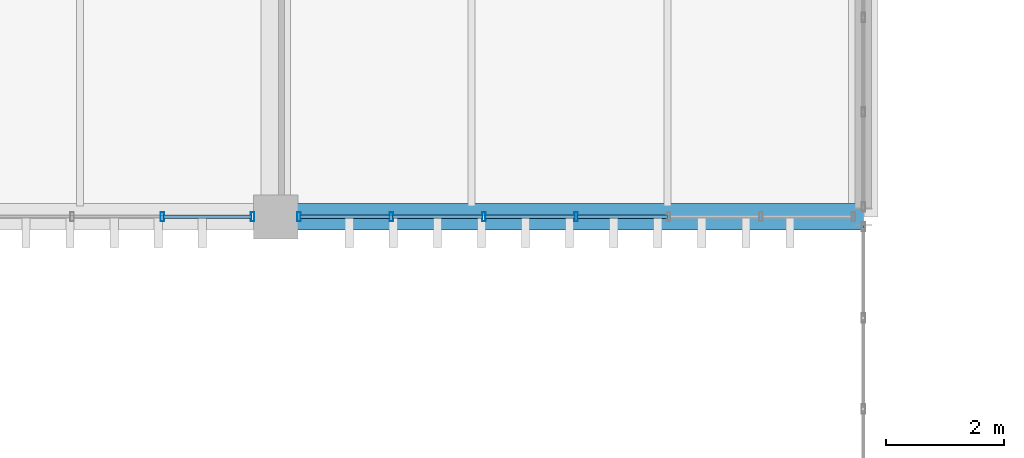
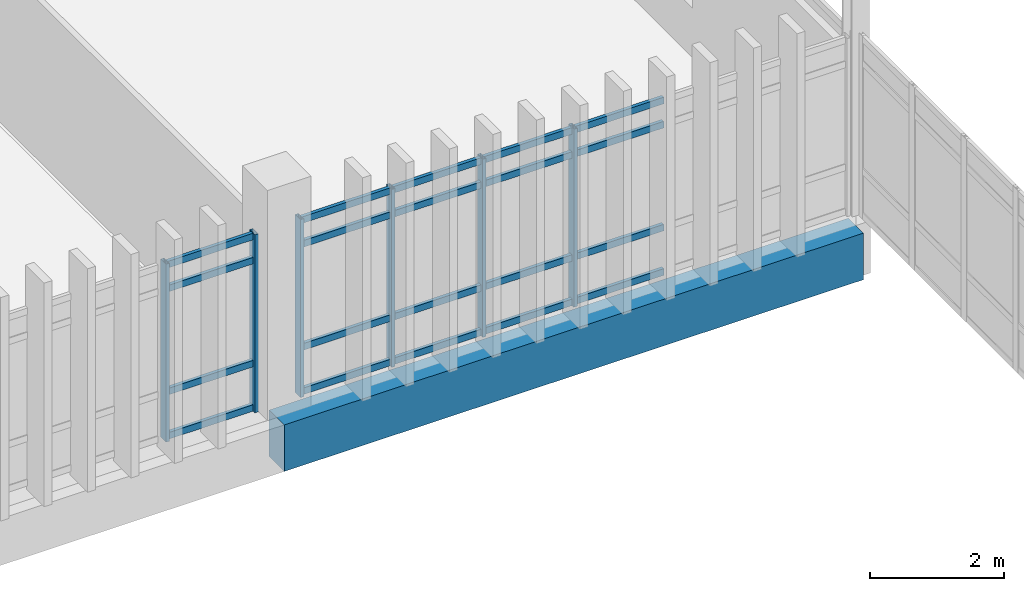
# One storey, part 46 of 111: 26 members, 1 beam, 2 elements without a shape of their own.
"""IFC4 building model written with IfcOpenShell, lengths in metres."""

from ifc_helpers import new_model, si_unit, direction, frame, origin, origin_2d, place, context, subcontext, project, spatial, rectangle, hollow_rectangle, extrude, material, layer, layer_set, material_profile, profile_set, type_object, element, aggregate, save


model = new_model("IFC4")

# Units and contexts
model_context = context("Model", 3, precision=1e-05, world=origin(), true_north=direction((0.0, 1.0)))
body_context = subcontext(model_context, "Body", "Model", "MODEL_VIEW")
ifc_project = project(units=[si_unit("LENGTHUNIT", "METRE"), si_unit("AREAUNIT", "SQUARE_METRE"), si_unit("VOLUMEUNIT", "CUBIC_METRE"), si_unit("PLANEANGLEUNIT", "RADIAN"), si_unit("MASSUNIT", "GRAM", prefix="KILO")], contexts=[model_context])

# Site, building, storey
site_placement = place(None, origin())
site = spatial("IfcSite", under=ifc_project, at=site_placement, CompositionType="ELEMENT")
building_placement = place(site_placement, origin())
building = spatial("IfcBuilding", under=site, at=building_placement, Name="Mersad Railyard Sports Hall", CompositionType="ELEMENT")
storey_placement = place(building_placement, frame((0.0, 0.0, 9.0)))
storey = spatial("IfcBuildingStorey", under=building, at=storey_placement, Name="L02", CompositionType="ELEMENT", Elevation=9.0)

# Curtain wall, members
ifc_material_1 = material(Name="Aluminium 6063-T6", Category="aluminium")
ifc_layer_1 = layer(ifc_material_1, 0.159912109375)
ifc_layer_set_1 = layer_set([ifc_layer_1], Name="Aluminium 6063-T6")
curtain_wall_type_1 = type_object("IfcCurtainWallType", Name="ARC-CW-CW55", PredefinedType="USERDEFINED", material=ifc_layer_set_1)
curtain_wall_1_placement = place(storey_placement, origin())
curtain_wall_1 = element("IfcCurtainWall", 1, at=curtain_wall_1_placement, inside=storey, type_object=curtain_wall_type_1, Name="Curtain wall CW55-0149", ObjectType="CURTAIN WALL", PredefinedType="USERDEFINED")
ifc_material_profile_1 = material_profile(ifc_material_1, hollow_rectangle(XDim=0.06005859375, YDim=0.159912109375, WallThickness=0.00390625, at=origin_2d()), Name="AL MULLION 60x160x4")
ifc_profile_set_1 = profile_set([ifc_material_profile_1], Name="Aluminium 6063-T6")
member_type_1 = type_object("IfcMemberType", Name="ARC-CW-MUL01", PredefinedType="MULLION", material=ifc_profile_set_1)
member_1_placement = place(storey_placement, frame((120.60498046875, 85.0, -0.02001953125), z_axis=(0.0, 0.0, 1.0), x_axis=(1.0, 0.0, 0.0)))
member_1 = element("IfcMember", 2, at=member_1_placement, type_object=member_type_1, Name="CW55 Mullion 1", PredefinedType="MULLION", context=body_context, shape_type="SweptSolid", body=[
    extrude(hollow_rectangle(XDim=0.06005859375, YDim=0.159912109375, WallThickness=0.00390625, at=origin_2d()), origin(), (0.0, 0.0, 1.0), 3.25),
])
member_2_placement = place(storey_placement, frame((119.070068359375, 85.0, -0.02001953125), z_axis=(0.0, 0.0, 1.0), x_axis=(1.0, 0.0, 0.0)))
member_2 = element("IfcMember", 3, at=member_2_placement, type_object=member_type_1, Name="CW55 Mullion 2", PredefinedType="MULLION", context=body_context, shape_type="SweptSolid", body=[
    extrude(hollow_rectangle(XDim=0.06005859375, YDim=0.159912109375, WallThickness=0.00390625, at=origin_2d()), origin(), (0.0, 0.0, 1.0), 3.25),
])

ifc_layer_2 = layer(ifc_material_1, 0.159912109375)
ifc_layer_set_2 = layer_set([ifc_layer_2], Name="Aluminium 6063-T6")
curtain_wall_type_2 = type_object("IfcCurtainWallType", Name="ARC-CW-CW56", PredefinedType="USERDEFINED", material=ifc_layer_set_2)
curtain_wall_2_placement = place(storey_placement, origin())
curtain_wall_2 = element("IfcCurtainWall", 4, at=curtain_wall_2_placement, inside=storey, type_object=curtain_wall_type_2, Name="Curtain wall CW56-0150", ObjectType="CURTAIN WALL", PredefinedType="USERDEFINED")
member_3_placement = place(storey_placement, frame((126.112548828125, 85.0, -0.02001953125), z_axis=(0.0, 0.0, 1.0), x_axis=(1.0, 0.0, 0.0)))
member_3 = element("IfcMember", 5, at=member_3_placement, type_object=member_type_1, Name="CW56 Mullion 4", PredefinedType="MULLION", context=body_context, shape_type="SweptSolid", body=[
    extrude(hollow_rectangle(XDim=0.06005859375, YDim=0.159912109375, WallThickness=0.00390625, at=origin_2d()), origin(), (0.0, 0.0, 1.0), 3.25),
])
member_4_placement = place(storey_placement, frame((124.5400390625, 85.0, -0.02001953125), z_axis=(0.0, 0.0, 1.0), x_axis=(1.0, 0.0, 0.0)))
member_4 = element("IfcMember", 6, at=member_4_placement, type_object=member_type_1, Name="CW56 Mullion 5", PredefinedType="MULLION", context=body_context, shape_type="SweptSolid", body=[
    extrude(hollow_rectangle(XDim=0.06005859375, YDim=0.159912109375, WallThickness=0.00390625, at=origin_2d()), origin(), (0.0, 0.0, 1.0), 3.25),
])
member_5_placement = place(storey_placement, frame((122.967529296875, 85.0, -0.02001953125), z_axis=(0.0, 0.0, 1.0), x_axis=(1.0, 0.0, 0.0)))
member_5 = element("IfcMember", 7, at=member_5_placement, type_object=member_type_1, Name="CW56 Mullion 6", PredefinedType="MULLION", context=body_context, shape_type="SweptSolid", body=[
    extrude(hollow_rectangle(XDim=0.06005859375, YDim=0.159912109375, WallThickness=0.00390625, at=origin_2d()), origin(), (0.0, 0.0, 1.0), 3.25),
])
member_6_placement = place(storey_placement, frame((121.39501953125, 85.0, -0.02001953125), z_axis=(0.0, 0.0, 1.0), x_axis=(1.0, 0.0, 0.0)))
member_6 = element("IfcMember", 8, at=member_6_placement, type_object=member_type_1, Name="CW56 Mullion 7", PredefinedType="MULLION", context=body_context, shape_type="SweptSolid", body=[
    extrude(hollow_rectangle(XDim=0.06005859375, YDim=0.159912109375, WallThickness=0.00390625, at=origin_2d()), origin(), (0.0, 0.0, 1.0), 3.25),
])

# Member
ifc_material_profile_2 = material_profile(ifc_material_1, hollow_rectangle(XDim=0.06005859375, YDim=0.1201171875, WallThickness=0.00390625, at=origin_2d()), Name="AL TRANSOM 60x120x4")
ifc_profile_set_2 = profile_set([ifc_material_profile_2], Name="Aluminium 6063-T6")
member_type_2 = type_object("IfcMemberType", Name="ARC-CW-TRN01", PredefinedType="USERDEFINED", material=ifc_profile_set_2)
member_7_placement = place(storey_placement, frame((120.5849609375, 85.0, 0.0400390625), z_axis=(-1.0, 0.0, 0.0), x_axis=(0.0, -1.0, 0.0)))
member_7 = element("IfcMember", 9, at=member_7_placement, type_object=member_type_2, Name="CW55 Transom 1-1", ObjectType="TRANSOM", PredefinedType="USERDEFINED", context=body_context, shape_type="SweptSolid", body=[
    extrude(hollow_rectangle(XDim=0.06005859375, YDim=0.1201171875, WallThickness=0.00390625, at=origin_2d()), origin(), (0.0, 0.0, 1.0), 1.494873046875),
])

member_8_placement = place(storey_placement, frame((120.5849609375, 85.0, 0.85009765625), z_axis=(-1.0, 0.0, 0.0), x_axis=(0.0, -1.0, 0.0)))
member_8 = element("IfcMember", 10, at=member_8_placement, type_object=member_type_2, Name="CW55 Transom 2-1", ObjectType="TRANSOM", PredefinedType="USERDEFINED", context=body_context, shape_type="SweptSolid", body=[
    extrude(hollow_rectangle(XDim=0.06005859375, YDim=0.1201171875, WallThickness=0.00390625, at=origin_2d()), origin(), (0.0, 0.0, 1.0), 1.494873046875),
])

member_9_placement = place(storey_placement, frame((120.5849609375, 85.0, 2.72998046875), z_axis=(-1.0, 0.0, 0.0), x_axis=(0.0, -1.0, 0.0)))
member_9 = element("IfcMember", 11, at=member_9_placement, type_object=member_type_2, Name="CW55 Transom 3-1", ObjectType="TRANSOM", PredefinedType="USERDEFINED", context=body_context, shape_type="SweptSolid", body=[
    extrude(hollow_rectangle(XDim=0.06005859375, YDim=0.1201171875, WallThickness=0.00390625, at=origin_2d()), origin(), (0.0, 0.0, 1.0), 1.494873046875),
])

member_10_placement = place(storey_placement, frame((120.5849609375, 85.0, 3.169921875), z_axis=(-1.0, 0.0, 0.0), x_axis=(0.0, -1.0, 0.0)))
member_10 = element("IfcMember", 12, at=member_10_placement, type_object=member_type_2, Name="CW55 Transom 4-1", ObjectType="TRANSOM", PredefinedType="USERDEFINED", context=body_context, shape_type="SweptSolid", body=[
    extrude(hollow_rectangle(XDim=0.06005859375, YDim=0.1201171875, WallThickness=0.00390625, at=origin_2d()), origin(), (0.0, 0.0, 1.0), 1.494873046875),
])

aggregate(curtain_wall_1, [member_1, member_2, member_7, member_8, member_9, member_10])

member_11_placement = place(storey_placement, frame((127.6650390625, 85.0, 0.0400390625), z_axis=(-1.0, 0.0, 0.0), x_axis=(0.0, -1.0, 0.0)))
member_11 = element("IfcMember", 13, at=member_11_placement, type_object=member_type_2, Name="CW56 Transom 1-3", ObjectType="TRANSOM", PredefinedType="USERDEFINED", context=body_context, shape_type="SweptSolid", body=[
    extrude(hollow_rectangle(XDim=0.06005859375, YDim=0.1201171875, WallThickness=0.00390625, at=origin_2d()), origin(), (0.0, 0.0, 1.0), 1.532470703125),
])

member_12_placement = place(storey_placement, frame((126.092529296875, 85.0, 0.0400390625), z_axis=(-1.0, 0.0, 0.0), x_axis=(0.0, -1.0, 0.0)))
member_12 = element("IfcMember", 14, at=member_12_placement, type_object=member_type_2, Name="CW56 Transom 1-4", ObjectType="TRANSOM", PredefinedType="USERDEFINED", context=body_context, shape_type="SweptSolid", body=[
    extrude(hollow_rectangle(XDim=0.06005859375, YDim=0.1201171875, WallThickness=0.00390625, at=origin_2d()), origin(), (0.0, 0.0, 1.0), 1.532470703125),
])

member_13_placement = place(storey_placement, frame((124.52001953125, 85.0, 0.0400390625), z_axis=(-1.0, 0.0, 0.0), x_axis=(0.0, -1.0, 0.0)))
member_13 = element("IfcMember", 15, at=member_13_placement, type_object=member_type_2, Name="CW56 Transom 1-5", ObjectType="TRANSOM", PredefinedType="USERDEFINED", context=body_context, shape_type="SweptSolid", body=[
    extrude(hollow_rectangle(XDim=0.06005859375, YDim=0.1201171875, WallThickness=0.00390625, at=origin_2d()), origin(), (0.0, 0.0, 1.0), 1.532470703125),
])

member_14_placement = place(storey_placement, frame((122.947509765625, 85.0, 0.0400390625), z_axis=(-1.0, 0.0, 0.0), x_axis=(0.0, -1.0, 0.0)))
member_14 = element("IfcMember", 16, at=member_14_placement, type_object=member_type_2, Name="CW56 Transom 1-6", ObjectType="TRANSOM", PredefinedType="USERDEFINED", context=body_context, shape_type="SweptSolid", body=[
    extrude(hollow_rectangle(XDim=0.06005859375, YDim=0.1201171875, WallThickness=0.00390625, at=origin_2d()), origin(), (0.0, 0.0, 1.0), 1.532470703125),
])

member_15_placement = place(storey_placement, frame((127.6650390625, 85.0, 0.85009765625), z_axis=(-1.0, 0.0, 0.0), x_axis=(0.0, -1.0, 0.0)))
member_15 = element("IfcMember", 17, at=member_15_placement, type_object=member_type_2, Name="CW56 Transom 2-3", ObjectType="TRANSOM", PredefinedType="USERDEFINED", context=body_context, shape_type="SweptSolid", body=[
    extrude(hollow_rectangle(XDim=0.06005859375, YDim=0.1201171875, WallThickness=0.00390625, at=origin_2d()), origin(), (0.0, 0.0, 1.0), 1.532470703125),
])

member_16_placement = place(storey_placement, frame((126.092529296875, 85.0, 0.85009765625), z_axis=(-1.0, 0.0, 0.0), x_axis=(0.0, -1.0, 0.0)))
member_16 = element("IfcMember", 18, at=member_16_placement, type_object=member_type_2, Name="CW56 Transom 2-4", ObjectType="TRANSOM", PredefinedType="USERDEFINED", context=body_context, shape_type="SweptSolid", body=[
    extrude(hollow_rectangle(XDim=0.06005859375, YDim=0.1201171875, WallThickness=0.00390625, at=origin_2d()), origin(), (0.0, 0.0, 1.0), 1.532470703125),
])

member_17_placement = place(storey_placement, frame((124.52001953125, 85.0, 0.85009765625), z_axis=(-1.0, 0.0, 0.0), x_axis=(0.0, -1.0, 0.0)))
member_17 = element("IfcMember", 19, at=member_17_placement, type_object=member_type_2, Name="CW56 Transom 2-5", ObjectType="TRANSOM", PredefinedType="USERDEFINED", context=body_context, shape_type="SweptSolid", body=[
    extrude(hollow_rectangle(XDim=0.06005859375, YDim=0.1201171875, WallThickness=0.00390625, at=origin_2d()), origin(), (0.0, 0.0, 1.0), 1.532470703125),
])

member_18_placement = place(storey_placement, frame((122.947509765625, 85.0, 0.85009765625), z_axis=(-1.0, 0.0, 0.0), x_axis=(0.0, -1.0, 0.0)))
member_18 = element("IfcMember", 20, at=member_18_placement, type_object=member_type_2, Name="CW56 Transom 2-6", ObjectType="TRANSOM", PredefinedType="USERDEFINED", context=body_context, shape_type="SweptSolid", body=[
    extrude(hollow_rectangle(XDim=0.06005859375, YDim=0.1201171875, WallThickness=0.00390625, at=origin_2d()), origin(), (0.0, 0.0, 1.0), 1.532470703125),
])

member_19_placement = place(storey_placement, frame((127.6650390625, 85.0, 2.72998046875), z_axis=(-1.0, 0.0, 0.0), x_axis=(0.0, -1.0, 0.0)))
member_19 = element("IfcMember", 21, at=member_19_placement, type_object=member_type_2, Name="CW56 Transom 3-3", ObjectType="TRANSOM", PredefinedType="USERDEFINED", context=body_context, shape_type="SweptSolid", body=[
    extrude(hollow_rectangle(XDim=0.06005859375, YDim=0.1201171875, WallThickness=0.00390625, at=origin_2d()), origin(), (0.0, 0.0, 1.0), 1.532470703125),
])

member_20_placement = place(storey_placement, frame((126.092529296875, 85.0, 2.72998046875), z_axis=(-1.0, 0.0, 0.0), x_axis=(0.0, -1.0, 0.0)))
member_20 = element("IfcMember", 22, at=member_20_placement, type_object=member_type_2, Name="CW56 Transom 3-4", ObjectType="TRANSOM", PredefinedType="USERDEFINED", context=body_context, shape_type="SweptSolid", body=[
    extrude(hollow_rectangle(XDim=0.06005859375, YDim=0.1201171875, WallThickness=0.00390625, at=origin_2d()), origin(), (0.0, 0.0, 1.0), 1.532470703125),
])

member_21_placement = place(storey_placement, frame((124.52001953125, 85.0, 2.72998046875), z_axis=(-1.0, 0.0, 0.0), x_axis=(0.0, -1.0, 0.0)))
member_21 = element("IfcMember", 23, at=member_21_placement, type_object=member_type_2, Name="CW56 Transom 3-5", ObjectType="TRANSOM", PredefinedType="USERDEFINED", context=body_context, shape_type="SweptSolid", body=[
    extrude(hollow_rectangle(XDim=0.06005859375, YDim=0.1201171875, WallThickness=0.00390625, at=origin_2d()), origin(), (0.0, 0.0, 1.0), 1.532470703125),
])

member_22_placement = place(storey_placement, frame((122.947509765625, 85.0, 2.72998046875), z_axis=(-1.0, 0.0, 0.0), x_axis=(0.0, -1.0, 0.0)))
member_22 = element("IfcMember", 24, at=member_22_placement, type_object=member_type_2, Name="CW56 Transom 3-6", ObjectType="TRANSOM", PredefinedType="USERDEFINED", context=body_context, shape_type="SweptSolid", body=[
    extrude(hollow_rectangle(XDim=0.06005859375, YDim=0.1201171875, WallThickness=0.00390625, at=origin_2d()), origin(), (0.0, 0.0, 1.0), 1.532470703125),
])

member_23_placement = place(storey_placement, frame((127.6650390625, 85.0, 3.169921875), z_axis=(-1.0, 0.0, 0.0), x_axis=(0.0, -1.0, 0.0)))
member_23 = element("IfcMember", 25, at=member_23_placement, type_object=member_type_2, Name="CW56 Transom 4-3", ObjectType="TRANSOM", PredefinedType="USERDEFINED", context=body_context, shape_type="SweptSolid", body=[
    extrude(hollow_rectangle(XDim=0.06005859375, YDim=0.1201171875, WallThickness=0.00390625, at=origin_2d()), origin(), (0.0, 0.0, 1.0), 1.532470703125),
])

member_24_placement = place(storey_placement, frame((126.092529296875, 85.0, 3.169921875), z_axis=(-1.0, 0.0, 0.0), x_axis=(0.0, -1.0, 0.0)))
member_24 = element("IfcMember", 26, at=member_24_placement, type_object=member_type_2, Name="CW56 Transom 4-4", ObjectType="TRANSOM", PredefinedType="USERDEFINED", context=body_context, shape_type="SweptSolid", body=[
    extrude(hollow_rectangle(XDim=0.06005859375, YDim=0.1201171875, WallThickness=0.00390625, at=origin_2d()), origin(), (0.0, 0.0, 1.0), 1.532470703125),
])

member_25_placement = place(storey_placement, frame((124.52001953125, 85.0, 3.169921875), z_axis=(-1.0, 0.0, 0.0), x_axis=(0.0, -1.0, 0.0)))
member_25 = element("IfcMember", 27, at=member_25_placement, type_object=member_type_2, Name="CW56 Transom 4-5", ObjectType="TRANSOM", PredefinedType="USERDEFINED", context=body_context, shape_type="SweptSolid", body=[
    extrude(hollow_rectangle(XDim=0.06005859375, YDim=0.1201171875, WallThickness=0.00390625, at=origin_2d()), origin(), (0.0, 0.0, 1.0), 1.532470703125),
])

member_26_placement = place(storey_placement, frame((122.947509765625, 85.0, 3.169921875), z_axis=(-1.0, 0.0, 0.0), x_axis=(0.0, -1.0, 0.0)))
member_26 = element("IfcMember", 28, at=member_26_placement, type_object=member_type_2, Name="CW56 Transom 4-6", ObjectType="TRANSOM", PredefinedType="USERDEFINED", context=body_context, shape_type="SweptSolid", body=[
    extrude(hollow_rectangle(XDim=0.06005859375, YDim=0.1201171875, WallThickness=0.00390625, at=origin_2d()), origin(), (0.0, 0.0, 1.0), 1.532470703125),
])

aggregate(curtain_wall_2, [member_3, member_4, member_5, member_6, member_11, member_12, member_13, member_14, member_15, member_16, member_17, member_18, member_19, member_20, member_21, member_22, member_23, member_24, member_25, member_26])

# Beam
ifc_material_2 = material(Name="Concrete C40/50", Category="concrete")
ifc_material_profile_3 = material_profile(ifc_material_2, rectangle(XDim=0.449951171875, YDim=0.85009765625, at=origin_2d()), Name="RC 450x850")
ifc_profile_set_3 = profile_set([ifc_material_profile_3], Name="Concrete C40/50")
beam_type = type_object("IfcBeamType", Name="STR-BM-B02", PredefinedType="BEAM", material=ifc_profile_set_3)
beam_placement = place(storey_placement, frame((121.0, 85.0, -0.72509765625), z_axis=(1.0, 0.0, 0.0), x_axis=(0.0, 1.0, 0.0)))
element("IfcBeam", 29, at=beam_placement, inside=storey, type_object=beam_type, Name="Beam B02-1072", PredefinedType="BEAM", context=body_context, shape_type="SweptSolid", body=[
    extrude(rectangle(XDim=0.449951171875, YDim=0.85009765625, at=origin_2d()), origin(), (0.0, 0.0, 1.0), 10.0),
])

save(model, "model.ifc")
